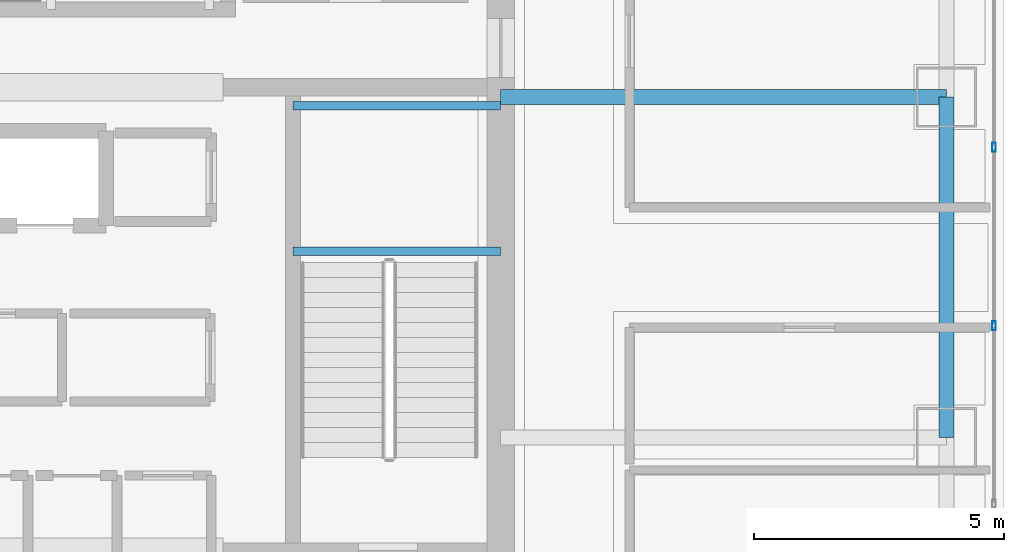
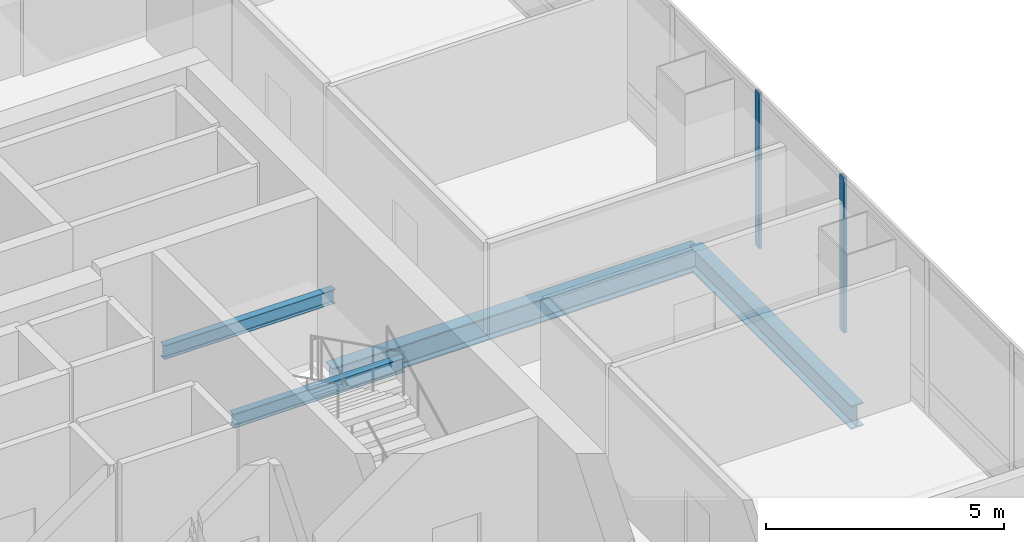
# One storey, part 18 of 42: 4 beams, 2 members, 1 element without a shape of its own.
"""IFC4 building model written with IfcOpenShell, lengths in metres."""

from ifc_helpers import new_model, si_unit, direction, frame, origin, origin_2d, place, context, subcontext, project, spatial, hollow_rectangle, i_section, extrude, material, material_profile, profile_set, type_object, element, aggregate, save


model = new_model("IFC4")

# Units and contexts
model_context = context("Model", 3, precision=1e-05, world=origin(), true_north=direction((0.0, 1.0)))
body_context = subcontext(model_context, "Body", "Model", "MODEL_VIEW")
ifc_project = project(units=[si_unit("LENGTHUNIT", "METRE"), si_unit("AREAUNIT", "SQUARE_METRE"), si_unit("VOLUMEUNIT", "CUBIC_METRE"), si_unit("PLANEANGLEUNIT", "RADIAN"), si_unit("MASSUNIT", "GRAM", prefix="KILO")], contexts=[model_context])

# Site, building, storey
site_placement = place(None, origin())
site = spatial("IfcSite", under=ifc_project, at=site_placement, CompositionType="ELEMENT")
building_placement = place(site_placement, origin())
building = spatial("IfcBuilding", under=site, at=building_placement, Name="Punatoya Terracotta Tower", CompositionType="ELEMENT")
storey_placement = place(building_placement, frame((0.0, 0.0, 304.800048828125)))
storey = spatial("IfcBuildingStorey", under=building, at=storey_placement, Name="L72", CompositionType="ELEMENT", Elevation=304.800048828125)

# Beams
ifc_material_1 = material(Name="Steel S355", Category="steel")
ifc_material_profile_1 = material_profile(ifc_material_1, i_section(OverallWidth=0.300048828125, OverallDepth=0.60009765625, WebThickness=0.015380859375, FlangeThickness=0.030029296875, FilletRadius=0.01806640625, at=origin_2d()))
ifc_profile_set_1 = profile_set([ifc_material_profile_1], Name="Steel S355")
beam_type_1 = type_object("IfcBeamType", Name="BM-PRI-600", PredefinedType="BEAM", material=ifc_profile_set_1)
beam_1_placement = place(storey_placement, frame((19.10009765625, -3.39990234375, -0.5), z_axis=(0.0, 1.0, 0.0), x_axis=(-1.0, 0.0, 0.0)))
element("IfcBeam", 1, at=beam_1_placement, inside=storey, type_object=beam_type_1, Name="BM-L72-RG-E2", PredefinedType="BEAM", context=body_context, shape_type="SweptSolid", body=[
    extrude(i_section(OverallWidth=0.300048828125, OverallDepth=0.60009765625, WebThickness=0.015380859375, FlangeThickness=0.030029296875, FilletRadius=0.01806640625, at=origin_2d()), origin(), (0.0, 0.0, 1.0), 6.7998046875),
])
beam_2_placement = place(storey_placement, frame((10.199951171875, 3.39990234375, -0.5), z_axis=(1.0, 0.0, 0.0), x_axis=(0.0, 1.0, 0.0)))
element("IfcBeam", 2, at=beam_2_placement, inside=storey, type_object=beam_type_1, Name="BM-L72-PR-EE", PredefinedType="BEAM", context=body_context, shape_type="SweptSolid", body=[
    extrude(i_section(OverallWidth=0.300048828125, OverallDepth=0.60009765625, WebThickness=0.015380859375, FlangeThickness=0.030029296875, FilletRadius=0.01806640625, at=origin_2d()), origin(), (0.0, 0.0, 1.0), 8.900146484375),
])
ifc_material_profile_2 = material_profile(ifc_material_1, i_section(OverallWidth=0.169921875, OverallDepth=0.360107421875, WebThickness=0.008056640625, FlangeThickness=0.0126953125, FilletRadius=0.01806640625, at=origin_2d()))
ifc_profile_set_2 = profile_set([ifc_material_profile_2], Name="Steel S355")
beam_type_2 = type_object("IfcBeamType", Name="BM-SEC-360", PredefinedType="JOIST", material=ifc_profile_set_2)
for number, where, z_axis, x_axis, name in (
    (3, (6.050048828125, 0.320068359375, 1.719970703125), (1.0, 0.0, 0.0), (0.0, 1.0, 0.0), "BM-L72-ST-2-LD1A"),
    (4, (6.050048828125, 3.22998046875, 1.719970703125), (1.0, 0.0, 0.0), (0.0, 1.0, 0.0), "BM-L72-ST-2-LD1B"),
):
    element("IfcBeam", number, at=place(storey_placement, frame(where, z_axis=z_axis, x_axis=x_axis)), inside=storey, type_object=beam_type_2, Name=name, PredefinedType="JOIST", context=body_context, shape_type="SweptSolid", body=[
        extrude(i_section(OverallWidth=0.169921875, OverallDepth=0.360107421875, WebThickness=0.008056640625, FlangeThickness=0.0126953125, FilletRadius=0.01806640625, at=origin_2d()), origin(), (0.0, 0.0, 1.0), 4.14990234375),
    ])

# Curtain wall, members
ifc_material_2 = material(Name="Aluminium 6063-T6 + Double Low-E Glass", Category="aluminium")
curtain_wall_type = type_object("IfcCurtainWallType", Name="CW-M3", PredefinedType="NOTDEFINED", material=ifc_material_2)
curtain_wall_placement = place(storey_placement, origin())
curtain_wall = element("IfcCurtainWall", 5, at=curtain_wall_placement, inside=storey, type_object=curtain_wall_type, Name="L72 Curtain Wall CW-L72-E05-1", PredefinedType="NOTDEFINED")
ifc_material_3 = material(Name="Aluminium 6063-T6", Category="aluminium")
ifc_material_profile_3 = material_profile(ifc_material_3, hollow_rectangle(XDim=0.070068359375, YDim=0.179931640625, WallThickness=0.00390625, at=origin_2d()))
ifc_profile_set_3 = profile_set([ifc_material_profile_3], Name="Aluminium 6063-T6")
member_type = type_object("IfcMemberType", Name="CW-MUL-M3", PredefinedType="MULLION", material=ifc_profile_set_3)
member_1_placement = place(storey_placement, frame((20.050048828125, -1.16748046875, 0.0), z_axis=(0.0, 0.0, 1.0), x_axis=(1.0, 0.0, 0.0)))
member_1 = element("IfcMember", 6, at=member_1_placement, type_object=member_type, Name="CW-L72-E05-1 Mullion 04", PredefinedType="MULLION", context=body_context, shape_type="SweptSolid", body=[
    extrude(hollow_rectangle(XDim=0.070068359375, YDim=0.179931640625, WallThickness=0.00390625, at=origin_2d()), origin(), (0.0, 0.0, 1.0), 4.0),
])
member_2_placement = place(storey_placement, frame((20.050048828125, 2.39990234375, 0.0), z_axis=(0.0, 0.0, 1.0), x_axis=(1.0, 0.0, 0.0)))
member_2 = element("IfcMember", 7, at=member_2_placement, type_object=member_type, Name="CW-L72-E05-1 Mullion 05", PredefinedType="MULLION", context=body_context, shape_type="SweptSolid", body=[
    extrude(hollow_rectangle(XDim=0.070068359375, YDim=0.179931640625, WallThickness=0.00390625, at=origin_2d()), origin(), (0.0, 0.0, 1.0), 4.0),
])
aggregate(curtain_wall, [member_1, member_2])

save(model, "model.ifc")
